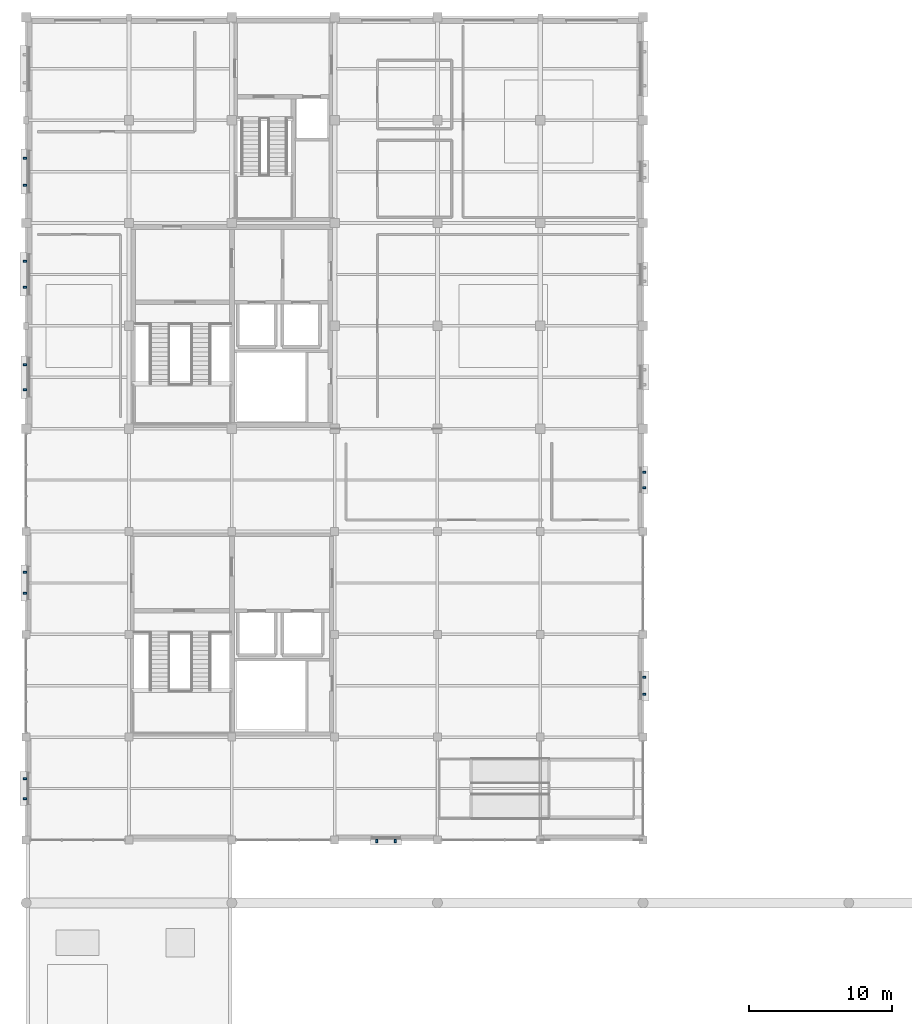
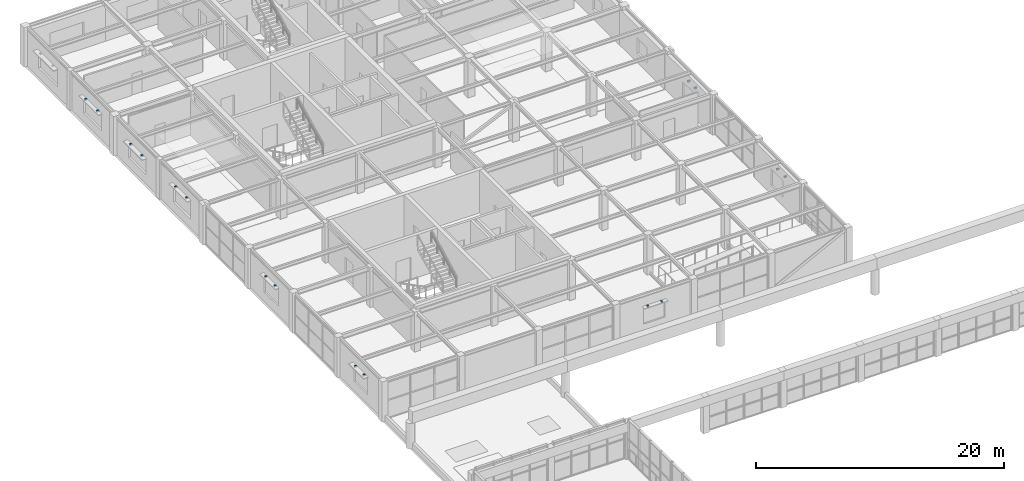
# One storey, part 73 of 83: 16 discrete accessories.
"""IFC4 building model written with IfcOpenShell, lengths in metres."""

from ifc_helpers import new_model, si_unit, direction, frame, origin, origin_2d, place, context, subcontext, project, spatial, rectangle, extrude, material, type_object, element, save


model = new_model("IFC4")

# Units and contexts
model_context = context("Model", 3, precision=1e-05, world=origin(), true_north=direction((0.0, 1.0)))
body_context = subcontext(model_context, "Body", "Model", "MODEL_VIEW")
ifc_project = project(units=[si_unit("LENGTHUNIT", "METRE"), si_unit("AREAUNIT", "SQUARE_METRE"), si_unit("VOLUMEUNIT", "CUBIC_METRE"), si_unit("PLANEANGLEUNIT", "RADIAN"), si_unit("MASSUNIT", "GRAM", prefix="KILO")], contexts=[model_context])

# Site, building, storey
site_placement = place(None, origin())
site = spatial("IfcSite", under=ifc_project, at=site_placement, CompositionType="ELEMENT")
building_placement = place(site_placement, origin())
building = spatial("IfcBuilding", under=site, at=building_placement, Name="Leyfeld Transit Interchange", CompositionType="ELEMENT")
storey_placement = place(building_placement, frame((0.0, 0.0, 5.39990234375)))
storey = spatial("IfcBuildingStorey", under=building, at=storey_placement, Name="L01", CompositionType="ELEMENT", Elevation=5.39990234375)

# Discrete accessories
ifc_material = material(Name="Galvanised steel S275JR", Category="steel")
discrete_accessory_type = type_object("IfcDiscreteAccessoryType", Name="ACC-BRK-STL", PredefinedType="BRACKET", material=ifc_material)
for number, where, z_axis, x_axis, name in (
    (1, (-0.080078125, 96.320068359375, 2.63037109375), (0.0, 0.0, 1.0), (0.0, 1.0, 0.0), "Solar Fin Bracket 012L"),
    (2, (-0.080078125, 98.080078125, 2.63037109375), (0.0, 0.0, 1.0), (0.0, 1.0, 0.0), "Solar Fin Bracket 012R"),
    (3, (-0.080078125, 103.488037109375, 2.43017578125), (0.0, 0.0, 1.0), (0.0, 1.0, 0.0), "Solar Fin Bracket 013L"),
    (4, (-0.080078125, 105.31201171875, 2.43017578125), (0.0, 0.0, 1.0), (0.0, 1.0, 0.0), "Solar Fin Bracket 013R"),
    (5, (-0.080078125, 110.656005859375, 2.47998046875), (0.0, 0.0, 1.0), (0.0, 1.0, 0.0), "Solar Fin Bracket 014L"),
    (6, (-0.080078125, 112.5439453125, 2.47998046875), (0.0, 0.0, 1.0), (0.0, 1.0, 0.0), "Solar Fin Bracket 014R"),
    (7, (43.280029296875, 90.5439453125, 2.43017578125), (0.0, 0.0, 1.0), (0.0, -1.0, 0.0), "Solar Fin Bracket 020L"),
    (8, (43.280029296875, 89.4560546875, 2.43017578125), (0.0, 0.0, 1.0), (0.0, -1.0, 0.0), "Solar Fin Bracket 020R"),
    (9, (43.280029296875, 76.2080078125, 2.47998046875), (0.0, 0.0, 1.0), (0.0, -1.0, 0.0), "Solar Fin Bracket 021L"),
    (10, (43.280029296875, 74.991943359375, 2.47998046875), (0.0, 0.0, 1.0), (0.0, -1.0, 0.0), "Solar Fin Bracket 021R"),
    (11, (25.840087890625, 64.719970703125, 2.5302734375), (0.0, 0.0, 1.0), (-1.0, 0.0, 0.0), "Solar Fin Bracket 022L"),
    (12, (24.56005859375, 64.719970703125, 2.5302734375), (0.0, 0.0, 1.0), (-1.0, 0.0, 0.0), "Solar Fin Bracket 022R"),
    (13, (-0.080078125, 67.696044921875, 2.580078125), (0.0, 0.0, 1.0), (0.0, 1.0, 0.0), "Solar Fin Bracket 023L"),
    (14, (-0.080078125, 69.10400390625, 2.580078125), (0.0, 0.0, 1.0), (0.0, 1.0, 0.0), "Solar Fin Bracket 023R"),
    (15, (-0.080078125, 82.06396484375, 2.63037109375), (0.0, 0.0, 1.0), (0.0, 1.0, 0.0), "Solar Fin Bracket 024L"),
    (16, (-0.080078125, 83.535888671875, 2.63037109375), (0.0, 0.0, 1.0), (0.0, 1.0, 0.0), "Solar Fin Bracket 024R"),
):
    element("IfcDiscreteAccessory", number, at=place(storey_placement, frame(where, z_axis=z_axis, x_axis=x_axis)), inside=storey, type_object=discrete_accessory_type, Name=name, PredefinedType="BRACKET", context=body_context, shape_type="SweptSolid", body=[
        extrude(rectangle(XDim=0.139892578125, YDim=0.239990234375, at=origin_2d()), origin(), (0.0, 0.0, 1.0), 0.159912109375),
    ])

save(model, "model.ifc")
